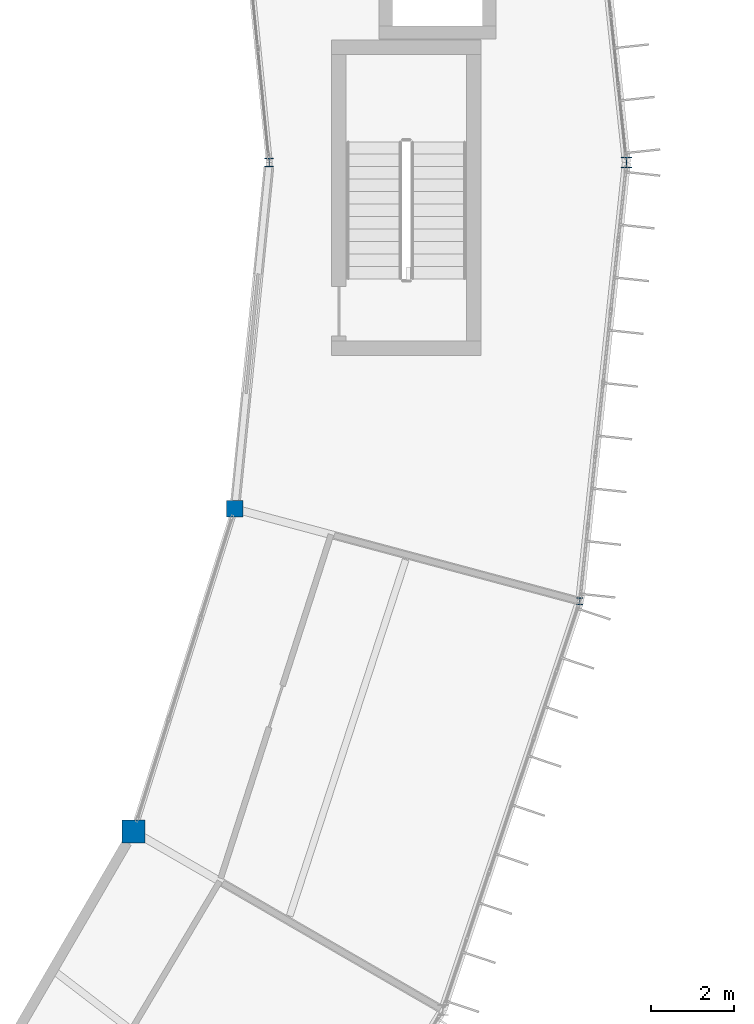
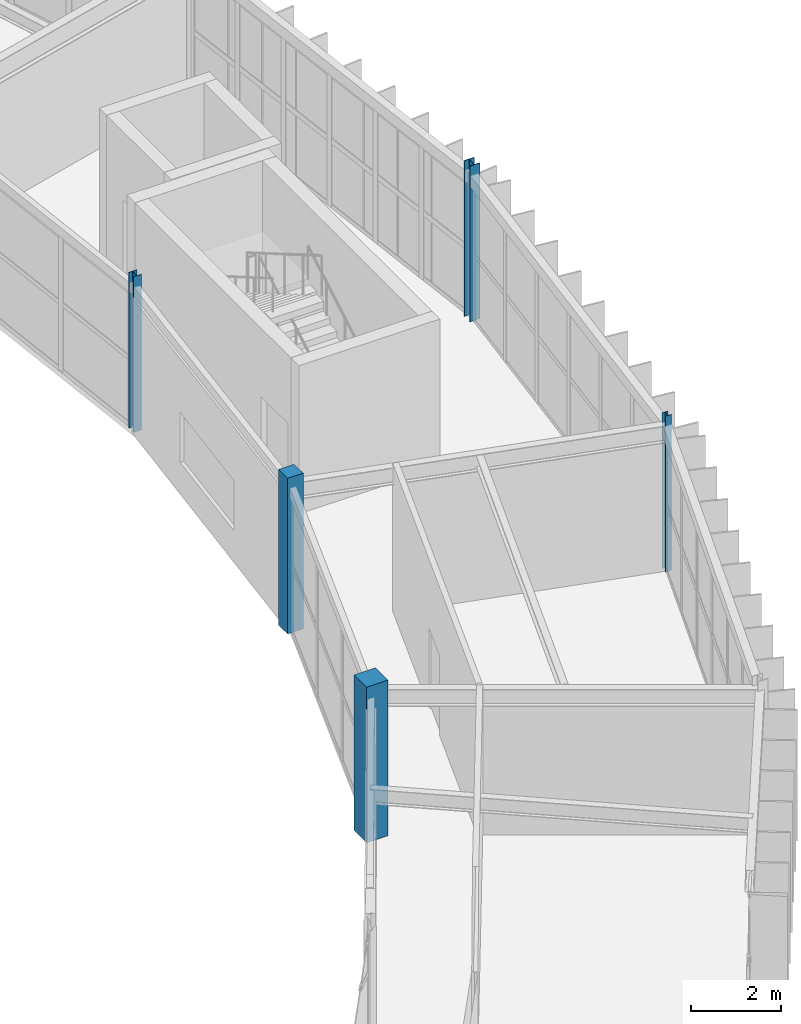
# One storey, part 6 of 106: 5 columns.
"""IFC4 building model written with IfcOpenShell, lengths in metres."""

from ifc_helpers import new_model, si_unit, direction, frame, origin, origin_2d, place, context, subcontext, project, spatial, rectangle, i_section, extrude, material, material_profile, profile_set, type_object, element, save


model = new_model("IFC4")

# Units and contexts
model_context = context("Model", 3, precision=1e-05, world=origin(), true_north=direction((0.0, 1.0)))
body_context = subcontext(model_context, "Body", "Model", "MODEL_VIEW")
ifc_project = project(units=[si_unit("LENGTHUNIT", "METRE"), si_unit("AREAUNIT", "SQUARE_METRE"), si_unit("VOLUMEUNIT", "CUBIC_METRE"), si_unit("PLANEANGLEUNIT", "RADIAN"), si_unit("MASSUNIT", "GRAM", prefix="KILO")], contexts=[model_context])

# Site, building, storey
site_placement = place(None, origin())
site = spatial("IfcSite", under=ifc_project, at=site_placement, CompositionType="ELEMENT")
building_placement = place(site_placement, origin())
building = spatial("IfcBuilding", under=site, at=building_placement, Name="Karori Crest Natural Sciences Institute", CompositionType="ELEMENT")
storey_placement = place(building_placement, frame((0.0, 0.0, 25.89990234375)))
storey = spatial("IfcBuildingStorey", under=building, at=storey_placement, Name="L06", CompositionType="ELEMENT", Elevation=25.89990234375)

# Columns
ifc_material_1 = material(Name="Structural steel AS/NZS 3679.1 Grade 350", Category="steel")
ifc_material_profile_1 = material_profile(ifc_material_1, i_section(OverallWidth=0.256103515625, OverallDepth=0.260009765625, WebThickness=0.010498046875, FlangeThickness=0.017333984375, FilletRadius=0.013916015625, at=origin_2d()), Name="250UC89.5")
ifc_profile_set_1 = profile_set([ifc_material_profile_1], Name="Structural steel AS/NZS 3679.1 Grade 350")
column_type_1 = type_object("IfcColumnType", Name="CT-06", PredefinedType="COLUMN", material=ifc_profile_set_1)
column_1_placement = place(storey_placement, frame((99.39990234375, 49.89990234375, 0.0), z_axis=(0.0, 0.0, 1.0), x_axis=(1.0, 0.0, 0.0)))
element("IfcColumn", 1, at=column_1_placement, inside=storey, type_object=column_type_1, Name="Column C-0015", PredefinedType="COLUMN", context=body_context, shape_type="SweptSolid", body=[
    extrude(i_section(OverallWidth=0.256103515625, OverallDepth=0.260009765625, WebThickness=0.010498046875, FlangeThickness=0.017333984375, FilletRadius=0.013916015625, at=origin_2d()), origin(), (0.0, 0.0, 1.0), 4.2001953125),
])
ifc_material_profile_2 = material_profile(ifc_material_1, i_section(OverallWidth=0.205078125, OverallDepth=0.2099609375, WebThickness=0.00927734375, FlangeThickness=0.01416015625, FilletRadius=0.010986328125, at=origin_2d()), Name="200UC59.5")
ifc_profile_set_2 = profile_set([ifc_material_profile_2], Name="Structural steel AS/NZS 3679.1 Grade 350")
column_type_2 = type_object("IfcColumnType", Name="CT-08", PredefinedType="COLUMN", material=ifc_profile_set_2)
column_2_placement = place(storey_placement, frame((90.800048828125, 49.89990234375, 0.0), z_axis=(0.0, 0.0, 1.0), x_axis=(1.0, 0.0, 0.0)))
element("IfcColumn", 2, at=column_2_placement, inside=storey, type_object=column_type_2, Name="Column C-0016", PredefinedType="COLUMN", context=body_context, shape_type="SweptSolid", body=[
    extrude(i_section(OverallWidth=0.205078125, OverallDepth=0.2099609375, WebThickness=0.00927734375, FlangeThickness=0.01416015625, FilletRadius=0.010986328125, at=origin_2d()), origin(), (0.0, 0.0, 1.0), 4.2001953125),
])
ifc_material_profile_3 = material_profile(ifc_material_1, i_section(OverallWidth=0.154052734375, OverallDepth=0.162109375, WebThickness=0.008056640625, FlangeThickness=0.011474609375, FilletRadius=0.009033203125, at=origin_2d()), Name="150UC37.2")
ifc_profile_set_3 = profile_set([ifc_material_profile_3], Name="Structural steel AS/NZS 3679.1 Grade 350")
column_type_3 = type_object("IfcColumnType", Name="CT-26", PredefinedType="COLUMN", material=ifc_profile_set_3)
column_3_placement = place(storey_placement, frame((98.275634765625, 39.340087890625, 0.0), z_axis=(0.0, 0.0, 1.0), x_axis=(1.0, 0.0, 0.0)))
element("IfcColumn", 3, at=column_3_placement, inside=storey, type_object=column_type_3, Name="Column C-0393", PredefinedType="COLUMN", context=body_context, shape_type="SweptSolid", body=[
    extrude(i_section(OverallWidth=0.154052734375, OverallDepth=0.162109375, WebThickness=0.008056640625, FlangeThickness=0.011474609375, FilletRadius=0.009033203125, at=origin_2d()), origin(), (0.0, 0.0, 1.0), 4.2001953125),
])
ifc_material_2 = material(Name="Concrete 50 MPa", Category="concrete")
ifc_material_profile_4 = material_profile(ifc_material_2, rectangle(XDim=0.550048828125, YDim=0.550048828125, at=origin_2d()), Name="RC550x550")
ifc_profile_set_4 = profile_set([ifc_material_profile_4], Name="Concrete 50 MPa")
column_type_4 = type_object("IfcColumnType", Name="CT-30", PredefinedType="COLUMN", material=ifc_profile_set_4)
column_4_placement = place(storey_placement, frame((87.531005859375, 33.800048828125, 0.0), z_axis=(0.0, 0.0, 1.0), x_axis=(1.0, 0.0, 0.0)))
element("IfcColumn", 4, at=column_4_placement, inside=storey, type_object=column_type_4, Name="Column C-0376", PredefinedType="COLUMN", context=body_context, shape_type="SweptSolid", body=[
    extrude(rectangle(XDim=0.550048828125, YDim=0.550048828125, at=origin_2d()), origin(), (0.0, 0.0, 1.0), 4.2001953125),
])
ifc_material_profile_5 = material_profile(ifc_material_2, rectangle(XDim=0.39990234375, YDim=0.39990234375, at=origin_2d()), Name="RC400x400")
ifc_profile_set_5 = profile_set([ifc_material_profile_5], Name="Concrete 50 MPa")
column_type_5 = type_object("IfcColumnType", Name="CT-31", PredefinedType="PILASTER", material=ifc_profile_set_5)
column_5_placement = place(storey_placement, frame((89.968505859375, 41.56591796875, 0.0), z_axis=(0.0, 0.0, 1.0), x_axis=(1.0, 0.0, 0.0)))
element("IfcColumn", 5, at=column_5_placement, inside=storey, type_object=column_type_5, Name="Column C-0394", PredefinedType="PILASTER", context=body_context, shape_type="SweptSolid", body=[
    extrude(rectangle(XDim=0.39990234375, YDim=0.39990234375, at=origin_2d()), origin(), (0.0, 0.0, 1.0), 4.2001953125),
])

save(model, "model.ifc")
